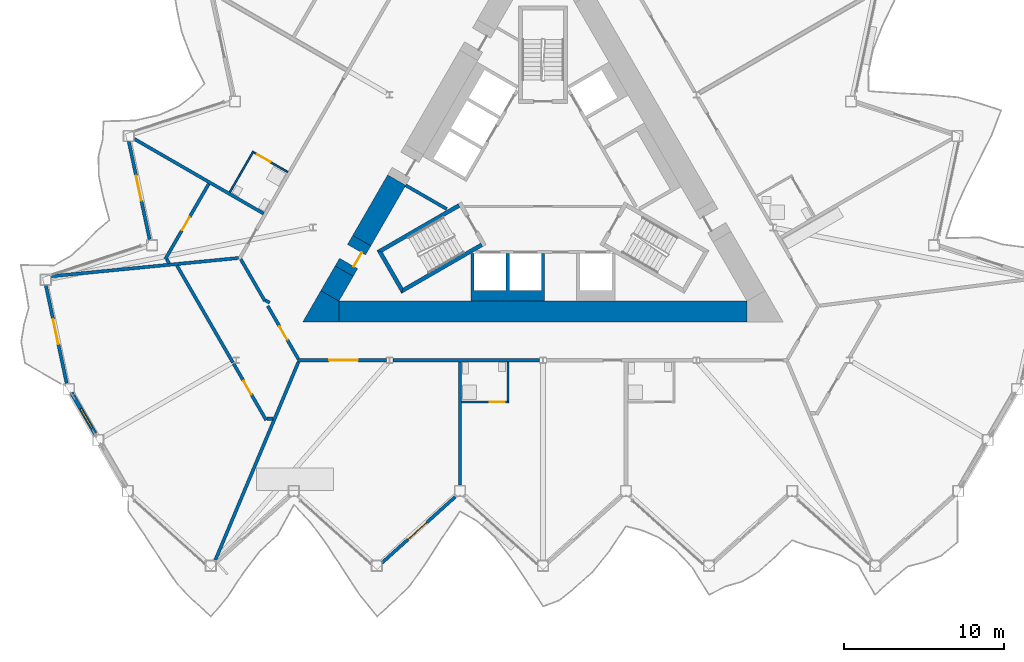
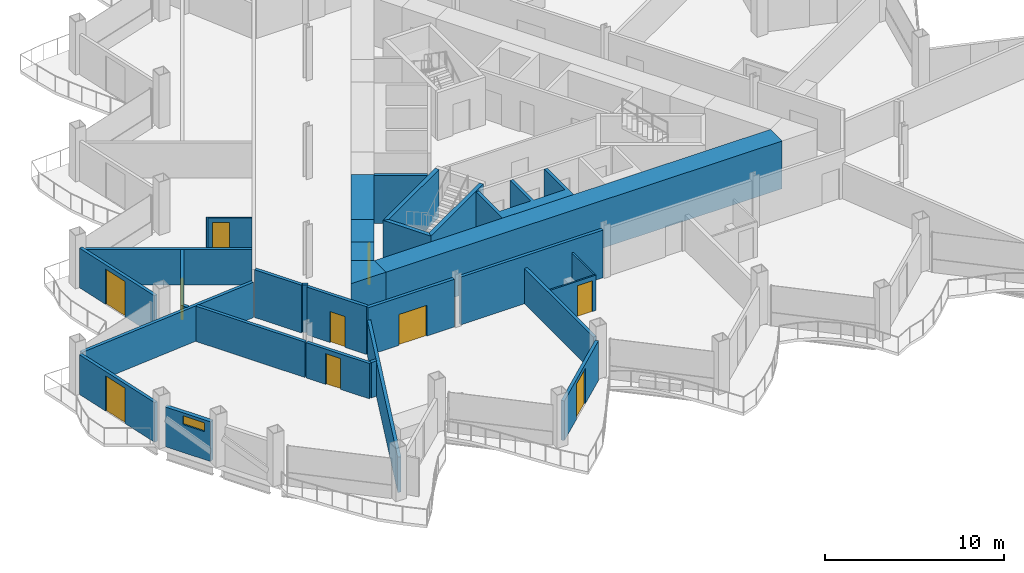
# One storey, part 11 of 23: 32 walls, 10 doors, 1 window, 11 openings.
"""IFC4 building model written with IfcOpenShell, lengths in metres."""

from ifc_helpers import new_model, si_unit, direction, frame, frame_2d, origin, place, context, subcontext, project, spatial, polyline, rectangle, outline, extrude, material, layer, layer_set, type_object, element, fill, save


model = new_model("IFC4")

# Units and contexts
model_context = context("Model", 3, precision=1e-05, world=origin(), true_north=direction((0.0, 1.0)))
body_context = subcontext(model_context, "Body", "Model", "MODEL_VIEW")
ifc_project = project(units=[si_unit("LENGTHUNIT", "METRE"), si_unit("AREAUNIT", "SQUARE_METRE"), si_unit("VOLUMEUNIT", "CUBIC_METRE"), si_unit("PLANEANGLEUNIT", "RADIAN"), si_unit("MASSUNIT", "GRAM", prefix="KILO")], contexts=[model_context])

# Site, building, storey
site_placement = place(None, origin())
site = spatial("IfcSite", under=ifc_project, at=site_placement, CompositionType="ELEMENT")
building_placement = place(site_placement, origin())
building = spatial("IfcBuilding", under=site, at=building_placement, Name="Cormorant Prow Tower", CompositionType="ELEMENT")
storey_placement = place(building_placement, frame((0.0, 0.0, 263.39990234375)))
storey = spatial("IfcBuildingStorey", under=building, at=storey_placement, Name="L59", CompositionType="ELEMENT", Elevation=263.39990234375)

# Walls
ifc_material_1 = material(Name="Concrete 8000 psi", Category="concrete")
ifc_layer_1 = layer(ifc_material_1, 1.300048828125)
ifc_layer_set_1 = layer_set([ifc_layer_1], Name="Concrete 8000 psi")
wall_type_1 = type_object("IfcWallType", Name="Core shear wall 1300", PredefinedType="SHEAR", material=ifc_layer_set_1)
wall_1_placement = place(storey_placement, frame((-12.748291015625, -8.01025390625, 0.0), z_axis=(0.0, 0.0, 1.0), x_axis=(1.0, 0.0, 0.0)))
element("IfcWall", 1, at=wall_1_placement, inside=storey, type_object=wall_type_1, Name="Core wall", PredefinedType="SHEAR", context=body_context, shape_type="SweptSolid", body=[
    extrude(rectangle(XDim=25.49658203125, YDim=1.300048828125, at=frame_2d((12.748291015625, 0.0))), origin(), (0.0, 0.0, 1.0), 3.25),
])
wall_2_placement = place(storey_placement, frame((-9.13720703125, 0.194580078125, 0.0), z_axis=(0.0, 0.0, 1.0), x_axis=(-0.499985697398, -0.866033661238, 0.0)))
element("IfcWall", 2, at=wall_2_placement, inside=storey, type_object=wall_type_1, Name="Core wall", PredefinedType="SHEAR", context=body_context, shape_type="SweptSolid", body=[
    extrude(rectangle(XDim=4.362060546875, YDim=1.300048828125, at=frame_2d((2.18115234375, 0.0))), origin(), (0.0, 0.0, 1.0), 3.25),
])
wall_3_placement = place(storey_placement, frame((-12.418212890625, -5.48828125, 0.0), z_axis=(0.0, 0.0, 1.0), x_axis=(-0.499931460552, -0.866064971437, 0.0)))
element("IfcWall", 3, at=wall_3_placement, inside=storey, type_object=wall_type_1, Name="Core wall", PredefinedType="SHEAR", context=body_context, shape_type="SweptSolid", body=[
    extrude(rectangle(XDim=1.786376953125, YDim=1.300048828125, at=frame_2d((0.89306640625, 0.0))), origin(), (0.0, 0.0, 1.0), 3.25),
])
wall_4_placement = place(storey_placement, origin())
element("IfcWall", 4, at=wall_4_placement, inside=storey, type_object=wall_type_1, Name="Core wall corner", PredefinedType="SHEAR", context=body_context, shape_type="SweptSolid", body=[
    extrude(outline(polyline([(-13.874267578125, -6.710205078125), (-12.748291015625, -7.3603515625), (-12.748291015625, -8.660400390625), (-15.0, -8.660400390625), (-13.874267578125, -6.710205078125)])), origin(), (0.0, 0.0, 1.0), 3.25),
])

# Wall, opening, door
wall_5_placement = place(storey_placement, frame((-11.318115234375, -3.5830078125, 0.0), z_axis=(0.0, 0.0, 1.0), x_axis=(-0.50002983664, -0.866008176907, 0.0)))
wall_5 = element("IfcWall", 5, at=wall_5_placement, inside=storey, type_object=wall_type_1, Name="Core wall door panel", PredefinedType="SHEAR", context=body_context, shape_type="SweptSolid", body=[
    extrude(rectangle(XDim=2.199951171875, YDim=1.300048828125, at=frame_2d((1.10009765625, 0.0))), origin(), (0.0, 0.0, 1.0), 3.25),
])
opening_1_placement = place(wall_5_placement, frame((0.64990234375, 0.0, 0.0)))
opening_1 = element("IfcOpeningElement", 6, at=opening_1_placement, cuts=wall_5, Name="Opening L59-C14", PredefinedType="OPENING", context=body_context, shape_type="SweptSolid", body=[
    extrude(rectangle(XDim=1.0, YDim=2.10009765625, at=frame_2d((0.5, 1.050048828125))), frame((0.0, 0.659912109375, 0.0), z_axis=(0.0, -1.0, 0.0), x_axis=(1.0, 0.0, 0.0)), (0.0, 0.0, 1.0), 1.320068359375),
])
ifc_material_2 = material(Name="Painted steel", Category="steel")
door_type_1 = type_object("IfcDoorType", Name="Service door 1000x2100", OperationType="NOTDEFINED", PredefinedType="DOOR", material=ifc_material_2)
door_1_placement = place(opening_1_placement, origin())
door_1 = element("IfcDoor", 7, at=door_1_placement, inside=storey, type_object=door_type_1, Name="Core door, Housekeeping store", OperationType="SINGLE_SWING_LEFT", OverallHeight=2.10009765625, OverallWidth=1.0, PredefinedType="DOOR", context=body_context, shape_type="SweptSolid", body=[
    extrude(rectangle(XDim=1.0, YDim=2.10009765625, at=frame_2d((0.5, 1.050048828125))), frame((0.0, 0.40478515625, 0.0), z_axis=(0.0, -1.0, 0.0), x_axis=(1.0, 0.0, 0.0)), (0.0, 0.0, 1.0), 0.050048828125),
])
fill(opening_1, door_1)

# Wall
ifc_material_3 = material(Name="Gypsum board corridor wall")
ifc_layer_2 = layer(ifc_material_3, 0.199951171875)
ifc_layer_set_2 = layer_set([ifc_layer_2], Name="Gypsum board corridor wall")
wall_type_2 = type_object("IfcWallType", Name="Corridor wall 200", PredefinedType="PARTITIONING", material=ifc_layer_set_2)
wall_6_placement = place(storey_placement, frame((-9.368896484375, -11.060302734375, 0.0), z_axis=(0.0, 0.0, 1.0), x_axis=(1.0, 0.0, 0.0)))
element("IfcWall", 8, at=wall_6_placement, inside=storey, type_object=wall_type_2, Name="Corridor wall", PredefinedType="PARTITIONING", context=body_context, shape_type="SweptSolid", body=[
    extrude(rectangle(XDim=9.159423828125, YDim=0.199951171875, at=frame_2d((4.57958984375, 0.0))), origin(), (0.0, 0.0, 1.0), 3.25),
])

# Wall, opening, door
wall_7_placement = place(storey_placement, frame((-15.330810546875, -11.060302734375, 0.0), z_axis=(0.0, 0.0, 1.0), x_axis=(1.0, 0.0, 0.0)))
wall_7 = element("IfcWall", 9, at=wall_7_placement, inside=storey, type_object=wall_type_2, Name="Corridor wall", PredefinedType="PARTITIONING", context=body_context, shape_type="SweptSolid", body=[
    extrude(rectangle(XDim=5.542724609375, YDim=0.199951171875, at=frame_2d((2.771484375, 0.0))), origin(), (0.0, 0.0, 1.0), 3.25),
])
opening_2_placement = place(wall_7_placement, frame((1.972900390625, 0.0, 0.0)))
opening_2 = element("IfcOpeningElement", 10, at=opening_2_placement, cuts=wall_7, Name="Opening L59-F01", PredefinedType="OPENING", context=body_context, shape_type="SweptSolid", body=[
    extrude(rectangle(XDim=1.800048828125, YDim=2.10009765625, at=frame_2d((0.89990234375, 1.050048828125))), frame((0.0, 0.10986328125, 0.0), z_axis=(0.0, -1.0, 0.0), x_axis=(1.0, 0.0, 0.0)), (0.0, 0.0, 1.0), 0.219970703125),
])
ifc_material_4 = material(Name="Timber door leaf", Category="wood")
door_type_2 = type_object("IfcDoorType", Name="Double door 1800x2100", OperationType="DOUBLE_DOOR_SINGLE_SWING", PredefinedType="DOOR", material=ifc_material_4)
door_2_placement = place(opening_2_placement, origin())
door_2 = element("IfcDoor", 11, at=door_2_placement, inside=storey, type_object=door_type_2, Name="Library door", OperationType="DOUBLE_DOOR_SINGLE_SWING", OverallHeight=2.10009765625, OverallWidth=1.800048828125, PredefinedType="DOOR", context=body_context, shape_type="SweptSolid", body=[
    extrude(rectangle(XDim=1.800048828125, YDim=2.10009765625, at=frame_2d((0.89990234375, 1.050048828125))), frame((0.0, 0.02490234375, 0.0), z_axis=(0.0, -1.0, 0.0), x_axis=(1.0, 0.0, 0.0)), (0.0, 0.0, 1.0), 0.050048828125),
])
fill(opening_2, door_2)

wall_8_placement = place(storey_placement, frame((-17.19384765625, -7.660400390625, 0.0), z_axis=(0.0, 0.0, 1.0), x_axis=(0.499989446428, -0.866031496806, 0.0)))
wall_8 = element("IfcWall", 12, at=wall_8_placement, inside=storey, type_object=wall_type_2, Name="Corridor wall", PredefinedType="PARTITIONING", context=body_context, shape_type="SweptSolid", body=[
    extrude(rectangle(XDim=3.82568359375, YDim=0.199951171875, at=frame_2d((1.912841796875, 0.0))), origin(), (0.0, 0.0, 1.0), 3.25),
])
opening_3_placement = place(wall_8_placement, frame((1.48974609375, 0.0, 0.0)))
opening_3 = element("IfcOpeningElement", 13, at=opening_3_placement, cuts=wall_8, Name="Opening L59-F20", PredefinedType="OPENING", context=body_context, shape_type="SweptSolid", body=[
    extrude(rectangle(XDim=0.949951171875, YDim=2.10009765625, at=frame_2d((0.47509765625, 1.050048828125))), frame((0.0, 0.10986328125, 0.0), z_axis=(0.0, -1.0, 0.0), x_axis=(1.0, 0.0, 0.0)), (0.0, 0.0, 1.0), 0.219970703125),
])
ifc_material_5 = material(Name="Timber door leaf", Category="wood")
door_type_3 = type_object("IfcDoorType", Name="Store door 950x2100", OperationType="NOTDEFINED", PredefinedType="DOOR", material=ifc_material_5)
door_3_placement = place(opening_3_placement, origin())
door_3 = element("IfcDoor", 14, at=door_3_placement, inside=storey, type_object=door_type_3, Name="Guest pantry door", OperationType="SINGLE_SWING_LEFT", OverallHeight=2.10009765625, OverallWidth=0.949951171875, PredefinedType="DOOR", context=body_context, shape_type="SweptSolid", body=[
    extrude(rectangle(XDim=0.949951171875, YDim=2.10009765625, at=frame_2d((0.47509765625, 1.050048828125))), frame((0.0, 0.02490234375, 0.0), z_axis=(0.0, -1.0, 0.0), x_axis=(1.0, 0.0, 0.0)), (0.0, 0.0, 1.0), 0.050048828125),
])
fill(opening_3, door_3)

# Walls
wall_9_placement = place(storey_placement, frame((-18.8759765625, -4.746826171875, 0.0), z_axis=(0.0, 0.0, 1.0), x_axis=(0.499952404951, -0.866052881055, 0.0)))
element("IfcWall", 15, at=wall_9_placement, inside=storey, type_object=wall_type_2, Name="Corridor wall", PredefinedType="PARTITIONING", context=body_context, shape_type="SweptSolid", body=[
    extrude(rectangle(XDim=3.002197265625, YDim=0.199951171875, at=frame_2d((1.5009765625, 0.0))), origin(), (0.0, 0.0, 1.0), 3.25),
])
wall_10_placement = place(storey_placement, frame((-17.33837890625, -7.310302734375, 0.0), z_axis=(0.0, 0.0, 1.0), x_axis=(0.866054481515, -0.499949632511, 0.0)))
element("IfcWall", 16, at=wall_10_placement, inside=storey, type_object=wall_type_2, Name="Corridor wall", PredefinedType="PARTITIONING", context=body_context, shape_type="SweptSolid", body=[
    extrude(rectangle(XDim=0.31005859375, YDim=0.199951171875, at=frame_2d((0.155029296875, 0.0))), origin(), (0.0, 0.0, 1.0), 3.25),
])
ifc_material_6 = material(Name="Gypsum board demising wall")
ifc_layer_3 = layer(ifc_material_6, 0.199951171875)
ifc_layer_set_3 = layer_set([ifc_layer_3], Name="Gypsum board demising wall")
wall_type_3 = type_object("IfcWallType", Name="Demising wall 200", PredefinedType="PARTITIONING", material=ifc_layer_set_3)
wall_11_placement = place(storey_placement, frame((-20.459716796875, -23.52685546875, 0.0), z_axis=(0.0, 0.0, 1.0), x_axis=(0.386788567553, 0.922168424969, 0.0)))
element("IfcWall", 17, at=wall_11_placement, inside=storey, type_object=wall_type_3, Name="Demising wall", PredefinedType="PARTITIONING", context=body_context, shape_type="SweptSolid", body=[
    extrude(rectangle(XDim=13.418701171875, YDim=0.199951171875, at=frame_2d((6.70947265625, 0.0))), origin(), (0.0, 0.0, 1.0), 2.404296875),
])
wall_12_placement = place(storey_placement, frame((-30.703125, -5.80859375, 0.0), z_axis=(0.0, 0.0, 1.0), x_axis=(0.99527973335, 0.097047680974, 0.0)))
element("IfcWall", 18, at=wall_12_placement, inside=storey, type_object=wall_type_3, Name="Demising wall", PredefinedType="PARTITIONING", context=body_context, shape_type="SweptSolid", body=[
    extrude(rectangle(XDim=11.733154296875, YDim=0.199951171875, at=frame_2d((5.86669921875, 0.0))), origin(), (0.0, 0.0, 1.0), 2.404296875),
])
wall_13_placement = place(storey_placement, frame((-25.514892578125, 2.76220703125, 0.0), z_axis=(0.0, 0.0, 1.0), x_axis=(0.866025446298, -0.499999926364, 0.0)))
element("IfcWall", 19, at=wall_13_placement, inside=storey, type_object=wall_type_3, Name="Demising wall", PredefinedType="PARTITIONING", context=body_context, shape_type="SweptSolid", body=[
    extrude(rectangle(XDim=9.3173828125, YDim=0.199951171875, at=frame_2d((4.65869140625, 0.0))), origin(), (0.0, 0.0, 1.0), 2.404296875),
])
wall_14_placement = place(storey_placement, frame((-5.1826171875, -18.85546875, 0.0), z_axis=(0.0, 0.0, 1.0), x_axis=(0.0, 1.0, 0.0)))
element("IfcWall", 20, at=wall_14_placement, inside=storey, type_object=wall_type_3, Name="Demising wall", PredefinedType="PARTITIONING", context=body_context, shape_type="SweptSolid", body=[
    extrude(rectangle(XDim=7.695068359375, YDim=0.199951171875, at=frame_2d((3.84765625, 0.0))), origin(), (0.0, 0.0, 1.0), 2.404296875),
])
wall_15_placement = place(storey_placement, frame((-22.865966796875, -5.135986328125, 0.0), z_axis=(0.0, 0.0, 1.0), x_axis=(0.499988162555, -0.866032238029, 0.0)))
element("IfcWall", 21, at=wall_15_placement, inside=storey, type_object=wall_type_3, Name="Demising wall", PredefinedType="PARTITIONING", context=body_context, shape_type="SweptSolid", body=[
    extrude(rectangle(XDim=6.999267578125, YDim=0.199951171875, at=frame_2d((3.49951171875, 0.0))), origin(), (0.0, 0.0, 1.0), 2.404296875),
])

# Wall, opening, door
wall_16_placement = place(storey_placement, frame((-23.5947265625, -4.746826171875, 0.0), z_axis=(0.0, 0.0, 1.0), x_axis=(0.500003308737, 0.866023493476, 0.0)))
wall_16 = element("IfcWall", 22, at=wall_16_placement, inside=storey, type_object=wall_type_3, Name="Demising wall", PredefinedType="PARTITIONING", context=body_context, shape_type="SweptSolid", body=[
    extrude(rectangle(XDim=5.44287109375, YDim=0.199951171875, at=frame_2d((2.721435546875, 0.0))), origin(), (0.0, 0.0, 1.0), 2.404296875),
])
opening_4_placement = place(wall_16_placement, frame((2.0927734375, 0.0, 0.0)))
opening_4 = element("IfcOpeningElement", 23, at=opening_4_placement, cuts=wall_16, Name="Opening L59-F19", PredefinedType="OPENING", context=body_context, shape_type="SweptSolid", body=[
    extrude(rectangle(XDim=0.949951171875, YDim=2.10009765625, at=frame_2d((0.47509765625, 1.050048828125))), frame((0.0, 0.10986328125, 0.0), z_axis=(0.0, -1.0, 0.0), x_axis=(1.0, 0.0, 0.0)), (0.0, 0.0, 1.0), 0.219970703125),
])
door_4_placement = place(opening_4_placement, origin())
door_4 = element("IfcDoor", 24, at=door_4_placement, inside=storey, type_object=door_type_3, Name="Ice and vending room door", OperationType="SINGLE_SWING_RIGHT", OverallHeight=2.10009765625, OverallWidth=0.949951171875, PredefinedType="DOOR", context=body_context, shape_type="SweptSolid", body=[
    extrude(rectangle(XDim=0.949951171875, YDim=2.10009765625, at=frame_2d((0.47509765625, 1.050048828125))), frame((0.0, 0.02490234375, 0.0), z_axis=(0.0, -1.0, 0.0), x_axis=(1.0, 0.0, 0.0)), (0.0, 0.0, 1.0), 0.050048828125),
])
fill(opening_4, door_4)

wall_17_placement = place(storey_placement, frame((-19.32470703125, -11.269775390625, 0.0), z_axis=(0.0, 0.0, 1.0), x_axis=(0.500000928893, -0.866024867487, 0.0)))
wall_17 = element("IfcWall", 25, at=wall_17_placement, inside=storey, type_object=wall_type_3, Name="Demising wall", PredefinedType="PARTITIONING", context=body_context, shape_type="SweptSolid", body=[
    extrude(rectangle(XDim=4.07275390625, YDim=0.199951171875, at=frame_2d((2.036376953125, 0.0))), origin(), (0.0, 0.0, 1.0), 2.404296875),
])
opening_5_placement = place(wall_17_placement, frame((1.2587890625, 0.0, 0.0)))
opening_5 = element("IfcOpeningElement", 26, at=opening_5_placement, cuts=wall_17, Name="Opening L59-F21", PredefinedType="OPENING", context=body_context, shape_type="SweptSolid", body=[
    extrude(rectangle(XDim=0.949951171875, YDim=2.10009765625, at=frame_2d((0.47509765625, 1.050048828125))), frame((0.0, 0.10986328125, 0.0), z_axis=(0.0, -1.0, 0.0), x_axis=(1.0, 0.0, 0.0)), (0.0, 0.0, 1.0), 0.219970703125),
])
door_5_placement = place(opening_5_placement, origin())
door_5 = element("IfcDoor", 27, at=door_5_placement, inside=storey, type_object=door_type_3, Name="Luggage store door", OperationType="SINGLE_SWING_LEFT", OverallHeight=2.10009765625, OverallWidth=0.949951171875, PredefinedType="DOOR", context=body_context, shape_type="SweptSolid", body=[
    extrude(rectangle(XDim=0.949951171875, YDim=2.10009765625, at=frame_2d((0.47509765625, 1.050048828125))), frame((0.0, 0.02490234375, 0.0), z_axis=(0.0, -1.0, 0.0), x_axis=(1.0, 0.0, 0.0)), (0.0, 0.0, 1.0), 0.050048828125),
])
fill(opening_5, door_5)

# Walls
wall_18_placement = place(storey_placement, frame((-17.23828125, -14.710205078125, 0.0), z_axis=(0.0, 0.0, 1.0), x_axis=(1.0, 0.0, 0.0)))
element("IfcWall", 28, at=wall_18_placement, inside=storey, type_object=wall_type_3, Name="Demising wall", PredefinedType="PARTITIONING", context=body_context, shape_type="SweptSolid", body=[
    extrude(rectangle(XDim=0.37646484375, YDim=0.199951171875, at=frame_2d((0.188232421875, 0.0))), origin(), (0.0, 0.0, 1.0), 2.404296875),
])
wall_19_placement = place(storey_placement, frame((-23.494873046875, -4.746826171875, 0.0), z_axis=(0.0, 0.0, 1.0), x_axis=(0.500180211149, -0.865921333826, 0.0)))
element("IfcWall", 29, at=wall_19_placement, inside=storey, type_object=wall_type_3, Name="Demising wall", PredefinedType="PARTITIONING", context=body_context, shape_type="SweptSolid", body=[
    extrude(rectangle(XDim=0.29248046875, YDim=0.199951171875, at=frame_2d((0.146240234375, 0.0))), origin(), (0.0, 0.0, 1.0), 2.404296875),
])

# Wall, opening, door
ifc_material_7 = material(Name="Gypsum board partition")
ifc_layer_4 = layer(ifc_material_7, 0.10009765625)
ifc_layer_set_4 = layer_set([ifc_layer_4], Name="Gypsum board partition")
wall_type_4 = type_object("IfcWallType", Name="Internal partition 100", PredefinedType="PARTITIONING", material=ifc_layer_set_4)
wall_20_placement = place(storey_placement, frame((-5.082763671875, -13.660400390625, 0.0), z_axis=(0.0, 0.0, 1.0), x_axis=(1.0, 0.0, 0.0)))
wall_20 = element("IfcWall", 30, at=wall_20_placement, inside=storey, type_object=wall_type_4, Name="Internal partition", PredefinedType="PARTITIONING", context=body_context, shape_type="SweptSolid", body=[
    extrude(rectangle(XDim=2.949951171875, YDim=0.10009765625, at=frame_2d((1.47509765625, 0.0))), origin(), (0.0, 0.0, 1.0), 2.404296875),
])
opening_6_placement = place(wall_20_placement, frame((1.75, 0.0, 0.0)))
opening_6 = element("IfcOpeningElement", 31, at=opening_6_placement, cuts=wall_20, Name="Opening L59-F03", PredefinedType="OPENING", context=body_context, shape_type="SweptSolid", body=[
    extrude(rectangle(XDim=0.949951171875, YDim=2.10009765625, at=frame_2d((0.47509765625, 1.050048828125))), frame((0.0, 0.06005859375, 0.0), z_axis=(0.0, -1.0, 0.0), x_axis=(1.0, 0.0, 0.0)), (0.0, 0.0, 1.0), 0.1201171875),
])
ifc_material_8 = material(Name="Timber door leaf", Category="wood")
door_type_4 = type_object("IfcDoorType", Name="Bathroom door 950x2100", OperationType="NOTDEFINED", PredefinedType="DOOR", material=ifc_material_8)
door_6_placement = place(opening_6_placement, origin())
door_6 = element("IfcDoor", 32, at=door_6_placement, inside=storey, type_object=door_type_4, Name="Junior suite door", OperationType="SINGLE_SWING_RIGHT", OverallHeight=2.10009765625, OverallWidth=0.949951171875, PredefinedType="DOOR", context=body_context, shape_type="SweptSolid", body=[
    extrude(rectangle(XDim=0.949951171875, YDim=2.10009765625, at=frame_2d((0.47509765625, 1.050048828125))), frame((0.0, 0.02490234375, 0.0), z_axis=(0.0, -1.0, 0.0), x_axis=(1.0, 0.0, 0.0)), (0.0, 0.0, 1.0), 0.050048828125),
])
fill(opening_6, door_6)

# Wall
wall_21_placement = place(storey_placement, frame((-19.560791015625, -0.559814453125, 0.0), z_axis=(0.0, 0.0, 1.0), x_axis=(0.49997559174, 0.866039495442, 0.0)))
element("IfcWall", 33, at=wall_21_placement, inside=storey, type_object=wall_type_4, Name="Internal partition", PredefinedType="PARTITIONING", context=body_context, shape_type="SweptSolid", body=[
    extrude(rectangle(XDim=2.949951171875, YDim=0.10009765625, at=frame_2d((1.47509765625, 0.0))), origin(), (0.0, 0.0, 1.0), 2.404296875),
])

# Wall, opening, door
wall_22_placement = place(storey_placement, frame((-18.067626953125, 1.926513671875, 0.0), z_axis=(0.0, 0.0, 1.0), x_axis=(0.866014668023, -0.500018594424, 0.0)))
wall_22 = element("IfcWall", 34, at=wall_22_placement, inside=storey, type_object=wall_type_4, Name="Internal partition", PredefinedType="PARTITIONING", context=body_context, shape_type="SweptSolid", body=[
    extrude(rectangle(XDim=2.4501953125, YDim=0.10009765625, at=frame_2d((1.22509765625, 0.0))), origin(), (0.0, 0.0, 1.0), 2.404296875),
])
opening_7_placement = place(wall_22_placement, frame((0.25, 0.0, 0.0)))
opening_7 = element("IfcOpeningElement", 35, at=opening_7_placement, cuts=wall_22, Name="Opening L59-F17", PredefinedType="OPENING", context=body_context, shape_type="SweptSolid", body=[
    extrude(rectangle(XDim=0.949951171875, YDim=2.10009765625, at=frame_2d((0.47509765625, 1.050048828125))), frame((0.0, 0.06005859375, 0.0), z_axis=(0.0, -1.0, 0.0), x_axis=(1.0, 0.0, 0.0)), (0.0, 0.0, 1.0), 0.1201171875),
])
door_7_placement = place(opening_7_placement, origin())
door_7 = element("IfcDoor", 36, at=door_7_placement, inside=storey, type_object=door_type_4, Name="Junior suite door", OperationType="SINGLE_SWING_LEFT", OverallHeight=2.10009765625, OverallWidth=0.949951171875, PredefinedType="DOOR", context=body_context, shape_type="SweptSolid", body=[
    extrude(rectangle(XDim=0.949951171875, YDim=2.10009765625, at=frame_2d((0.47509765625, 1.050048828125))), frame((0.0, 0.02490234375, 0.0), z_axis=(0.0, -1.0, 0.0), x_axis=(1.0, 0.0, 0.0)), (0.0, 0.0, 1.0), 0.050048828125),
])
fill(opening_7, door_7)

# Walls
wall_23_placement = place(storey_placement, frame((-2.1826171875, -13.6103515625, 0.0), z_axis=(0.0, 0.0, 1.0), x_axis=(0.0, 1.0, 0.0)))
element("IfcWall", 37, at=wall_23_placement, inside=storey, type_object=wall_type_4, Name="Internal partition", PredefinedType="PARTITIONING", context=body_context, shape_type="SweptSolid", body=[
    extrude(rectangle(XDim=2.449951171875, YDim=0.10009765625, at=frame_2d((1.22509765625, 0.0))), origin(), (0.0, 0.0, 1.0), 2.404296875),
])
ifc_material_9 = material(Name="Concrete 8000 psi", Category="concrete")
ifc_layer_5 = layer(ifc_material_9, 0.199951171875)
ifc_layer_set_5 = layer_set([ifc_layer_5], Name="Concrete 8000 psi")
wall_type_5 = type_object("IfcWallType", Name="Lift shaft wall 200", PredefinedType="SHEAR", material=ifc_layer_set_5)
wall_24_placement = place(storey_placement, origin())
element("IfcWall", 38, at=wall_24_placement, inside=storey, type_object=wall_type_5, Name="Lift shaft walls, S block", PredefinedType="SHEAR", context=body_context, shape_type="SweptSolid", body=[
    extrude(outline(polyline([(0.10009765625, -7.3603515625), (-4.5, -7.3603515625), (-4.5, -4.39990234375), (-4.300048828125, -4.39990234375), (-4.300048828125, -6.699951171875), (-2.300048828125, -6.699951171875), (-2.300048828125, -4.39990234375), (-2.10009765625, -4.39990234375), (-2.10009765625, -6.699951171875), (-0.10009765625, -6.699951171875), (-0.10009765625, -4.39990234375), (0.10009765625, -4.39990234375), (0.10009765625, -7.3603515625)])), origin(), (0.0, 0.0, 1.0), 3.25),
])
wall_25_placement = place(storey_placement, origin())
element("IfcWall", 39, at=wall_25_placement, inside=storey, type_object=wall_type_5, Name="Lift shaft walls, WNW block", PredefinedType="SHEAR", context=body_context, shape_type="SweptSolid", body=[
    extrude(outline(polyline([(-8.524169921875, -0.043701171875), (-8.130859375, -0.27099609375), (-5.96044921875, -1.52392578125), (-6.060546875, -1.697021484375), (-8.230712890625, -0.444091796875), (-8.624267578125, -0.217041015625), (-8.524169921875, -0.043701171875)])), origin(), (0.0, 0.0, 1.0), 3.25),
])
ifc_material_10 = material(Name="Concrete 8000 psi", Category="concrete")
ifc_layer_6 = layer(ifc_material_10, 0.25)
ifc_layer_set_6 = layer_set([ifc_layer_6], Name="Concrete 8000 psi")
wall_type_6 = type_object("IfcWallType", Name="Stair wall 250", PredefinedType="SHEAR", material=ifc_layer_set_6)
wall_26_placement = place(storey_placement, origin())
element("IfcWall", 40, at=wall_26_placement, inside=storey, type_object=wall_type_6, Name="Stair ST1 enclosure wall (flank)", PredefinedType="SHEAR", context=body_context, shape_type="SweptSolid", body=[
    extrude(outline(polyline([(-5.30712890625, -1.28125), (-10.37353515625, -4.206298828125), (-10.031982421875, -4.2978515625), (-5.18212890625, -1.497802734375), (-5.30712890625, -1.28125)])), origin(), (0.0, 0.0, 1.0), 3.25),
])
wall_27_placement = place(storey_placement, origin())
element("IfcWall", 41, at=wall_27_placement, inside=storey, type_object=wall_type_6, Name="Stair ST1 enclosure wall (end)", PredefinedType="SHEAR", context=body_context, shape_type="SweptSolid", body=[
    extrude(outline(polyline([(-10.37353515625, -4.206298828125), (-8.82958984375, -6.880615234375), (-8.738037109375, -6.5390625), (-10.031982421875, -4.2978515625), (-10.37353515625, -4.206298828125)])), origin(), (0.0, 0.0, 1.0), 3.25),
])
wall_28_placement = place(storey_placement, origin())
element("IfcWall", 42, at=wall_28_placement, inside=storey, type_object=wall_type_6, Name="Stair ST1 enclosure wall (flank)", PredefinedType="SHEAR", context=body_context, shape_type="SweptSolid", body=[
    extrude(outline(polyline([(-8.738037109375, -6.5390625), (-8.82958984375, -6.880615234375), (-3.76318359375, -3.95556640625), (-3.88818359375, -3.739013671875), (-8.738037109375, -6.5390625)])), origin(), (0.0, 0.0, 1.0), 3.25),
])

# Wall, opening, window
ifc_material_11 = material(Name="Terracotta", Category="masonry")
ifc_layer_7 = layer(ifc_material_11, 0.25)
ifc_layer_set_7 = layer_set([ifc_layer_7], Name="Terracotta")
wall_type_7 = type_object("IfcWallType", Name="Terracotta bay wall 250", PredefinedType="SOLIDWALL", material=ifc_layer_set_7)
wall_29_placement = place(storey_placement, frame((-29.447509765625, -13.0849609375, 0.0), z_axis=(0.0, 0.0, 1.0), x_axis=(0.499971101808, -0.86604208752, 0.0)))
wall_29 = element("IfcWall", 43, at=wall_29_placement, inside=storey, type_object=wall_type_7, Name="Terracotta bay wall WSW00", PredefinedType="SOLIDWALL", context=body_context, shape_type="SweptSolid", body=[
    extrude(rectangle(XDim=2.946533203125, YDim=0.25, at=frame_2d((1.47314453125, 0.0))), origin(), (0.0, 0.0, 1.0), 2.700927734375),
])
opening_8_placement = place(wall_29_placement, frame((1.14990234375, 0.0, 1.89990234375)))
opening_8 = element("IfcOpeningElement", 44, at=opening_8_placement, cuts=wall_29, Name="Opening WN6", PredefinedType="OPENING", context=body_context, shape_type="SweptSolid", body=[
    extrude(rectangle(XDim=1.39990234375, YDim=0.60009765625, at=frame_2d((0.699951171875, 0.300048828125))), frame((0.0, 0.135009765625, 0.0), z_axis=(0.0, -1.0, 0.0), x_axis=(1.0, 0.0, 0.0)), (0.0, 0.0, 1.0), 0.27001953125),
])
ifc_material_12 = material(Name="Aluminium 6063-T6", Category="aluminium")
window_type = type_object("IfcWindowType", Name="Corner bay window 1400x600", PartitioningType="SINGLE_PANEL", PredefinedType="WINDOW", material=ifc_material_12)
window_placement = place(opening_8_placement, origin())
window = element("IfcWindow", 45, at=window_placement, inside=storey, type_object=window_type, Name="Corner bay window WSW00", OverallHeight=0.60009765625, OverallWidth=1.39990234375, PartitioningType="SINGLE_PANEL", PredefinedType="WINDOW", context=body_context, shape_type="SweptSolid", body=[
    extrude(rectangle(XDim=1.39990234375, YDim=0.60009765625, at=frame_2d((0.699951171875, 0.300048828125))), frame((0.0, 0.030029296875, 0.0), z_axis=(0.0, -1.0, 0.0), x_axis=(1.0, 0.0, 0.0)), (0.0, 0.0, 1.0), 0.06005859375),
])
fill(opening_8, window)

# Wall, opening, door
ifc_material_13 = material(Name="Terracotta", Category="masonry")
ifc_layer_8 = layer(ifc_material_13, 0.199951171875)
ifc_layer_set_8 = layer_set([ifc_layer_8], Name="Terracotta")
wall_type_8 = type_object("IfcWallType", Name="Terracotta jamb wall 200", PredefinedType="SOLIDWALL", material=ifc_layer_set_8)
wall_30_placement = place(storey_placement, frame((-10.06005859375, -23.713134765625, 0.0), z_axis=(0.0, 0.0, 1.0), x_axis=(0.74316789204, 0.669104987458, 0.0)))
wall_30 = element("IfcWall", 46, at=wall_30_placement, inside=storey, type_object=wall_type_8, Name="Terracotta jamb wall S03", PredefinedType="SOLIDWALL", context=body_context, shape_type="SweptSolid", body=[
    extrude(rectangle(XDim=6.154296875, YDim=0.199951171875, at=frame_2d((3.0771484375, 0.0))), origin(), (0.0, 0.0, 1.0), 2.700927734375),
])
opening_9_placement = place(wall_30_placement, frame((2.18603515625, 0.0, 0.0)))
opening_9 = element("IfcOpeningElement", 47, at=opening_9_placement, cuts=wall_30, Name="Opening ED59.02", PredefinedType="OPENING", context=body_context, shape_type="SweptSolid", body=[
    extrude(rectangle(XDim=1.60009765625, YDim=2.39990234375, at=frame_2d((0.800048828125, 1.199951171875))), frame((0.0, 0.10986328125, 0.0), z_axis=(0.0, -1.0, 0.0), x_axis=(1.0, 0.0, 0.0)), (0.0, 0.0, 1.0), 0.219970703125),
])
ifc_material_14 = material(Name="Aluminium 6063-T6", Category="aluminium")
door_type_5 = type_object("IfcDoorType", Name="Balcony door 1600x2400", OperationType="DOUBLE_DOOR_SINGLE_SWING", PredefinedType="DOOR", material=ifc_material_14)
door_8_placement = place(opening_9_placement, origin())
door_8 = element("IfcDoor", 48, at=door_8_placement, inside=storey, type_object=door_type_5, Name="Balcony door S03 ED59.02", OperationType="DOUBLE_DOOR_SINGLE_SWING", OverallHeight=2.39990234375, OverallWidth=1.60009765625, PredefinedType="DOOR", context=body_context, shape_type="SweptSolid", body=[
    extrude(rectangle(XDim=1.60009765625, YDim=2.39990234375, at=frame_2d((0.800048828125, 1.199951171875))), frame((0.0, 0.02490234375, 0.0), z_axis=(0.0, -1.0, 0.0), x_axis=(1.0, 0.0, 0.0)), (0.0, 0.0, 1.0), 0.050048828125),
])
fill(opening_9, door_8)

wall_31_placement = place(storey_placement, frame((-25.87158203125, 2.615478515625, 0.0), z_axis=(0.0, 0.0, 1.0), x_axis=(0.207882087744, -0.978153892593, 0.0)))
wall_31 = element("IfcWall", 49, at=wall_31_placement, inside=storey, type_object=wall_type_8, Name="Terracotta jamb wall WNW07", PredefinedType="SOLIDWALL", context=body_context, shape_type="SweptSolid", body=[
    extrude(rectangle(XDim=6.25732421875, YDim=0.199951171875, at=frame_2d((3.128662109375, 0.0))), origin(), (0.0, 0.0, 1.0), 2.700927734375),
])
opening_10_placement = place(wall_31_placement, frame((2.18603515625, 0.0, 0.0)))
opening_10 = element("IfcOpeningElement", 50, at=opening_10_placement, cuts=wall_31, Name="Opening ED59.14", PredefinedType="OPENING", context=body_context, shape_type="SweptSolid", body=[
    extrude(rectangle(XDim=1.60009765625, YDim=2.39990234375, at=frame_2d((0.800048828125, 1.199951171875))), frame((0.0, 0.10986328125, 0.0), z_axis=(0.0, -1.0, 0.0), x_axis=(1.0, 0.0, 0.0)), (0.0, 0.0, 1.0), 0.219970703125),
])
door_9_placement = place(opening_10_placement, origin())
door_9 = element("IfcDoor", 51, at=door_9_placement, inside=storey, type_object=door_type_5, Name="Balcony door WNW07 ED59.14", OperationType="DOUBLE_DOOR_SINGLE_SWING", OverallHeight=2.39990234375, OverallWidth=1.60009765625, PredefinedType="DOOR", context=body_context, shape_type="SweptSolid", body=[
    extrude(rectangle(XDim=1.60009765625, YDim=2.39990234375, at=frame_2d((0.800048828125, 1.199951171875))), frame((0.0, 0.02490234375, 0.0), z_axis=(0.0, -1.0, 0.0), x_axis=(1.0, 0.0, 0.0)), (0.0, 0.0, 1.0), 0.050048828125),
])
fill(opening_10, door_9)

wall_32_placement = place(storey_placement, frame((-31.054443359375, -6.361083984375, 0.0), z_axis=(0.0, 0.0, 1.0), x_axis=(0.207937956549, -0.978142017412, 0.0)))
wall_32 = element("IfcWall", 52, at=wall_32_placement, inside=storey, type_object=wall_type_8, Name="Terracotta jamb wall WNW09", PredefinedType="SOLIDWALL", context=body_context, shape_type="SweptSolid", body=[
    extrude(rectangle(XDim=6.267333984375, YDim=0.199951171875, at=frame_2d((3.1337890625, 0.0))), origin(), (0.0, 0.0, 1.0), 2.700927734375),
])
opening_11_placement = place(wall_32_placement, frame((2.18603515625, 0.0, 0.0)))
opening_11 = element("IfcOpeningElement", 53, at=opening_11_placement, cuts=wall_32, Name="Opening ED59.15", PredefinedType="OPENING", context=body_context, shape_type="SweptSolid", body=[
    extrude(rectangle(XDim=1.60009765625, YDim=2.39990234375, at=frame_2d((0.800048828125, 1.199951171875))), frame((0.0, 0.10986328125, 0.0), z_axis=(0.0, -1.0, 0.0), x_axis=(1.0, 0.0, 0.0)), (0.0, 0.0, 1.0), 0.219970703125),
])
door_10_placement = place(opening_11_placement, origin())
door_10 = element("IfcDoor", 54, at=door_10_placement, inside=storey, type_object=door_type_5, Name="Balcony door WNW09 ED59.15", OperationType="DOUBLE_DOOR_SINGLE_SWING", OverallHeight=2.39990234375, OverallWidth=1.60009765625, PredefinedType="DOOR", context=body_context, shape_type="SweptSolid", body=[
    extrude(rectangle(XDim=1.60009765625, YDim=2.39990234375, at=frame_2d((0.800048828125, 1.199951171875))), frame((0.0, 0.02490234375, 0.0), z_axis=(0.0, -1.0, 0.0), x_axis=(1.0, 0.0, 0.0)), (0.0, 0.0, 1.0), 0.050048828125),
])
fill(opening_11, door_10)

save(model, "model.ifc")
